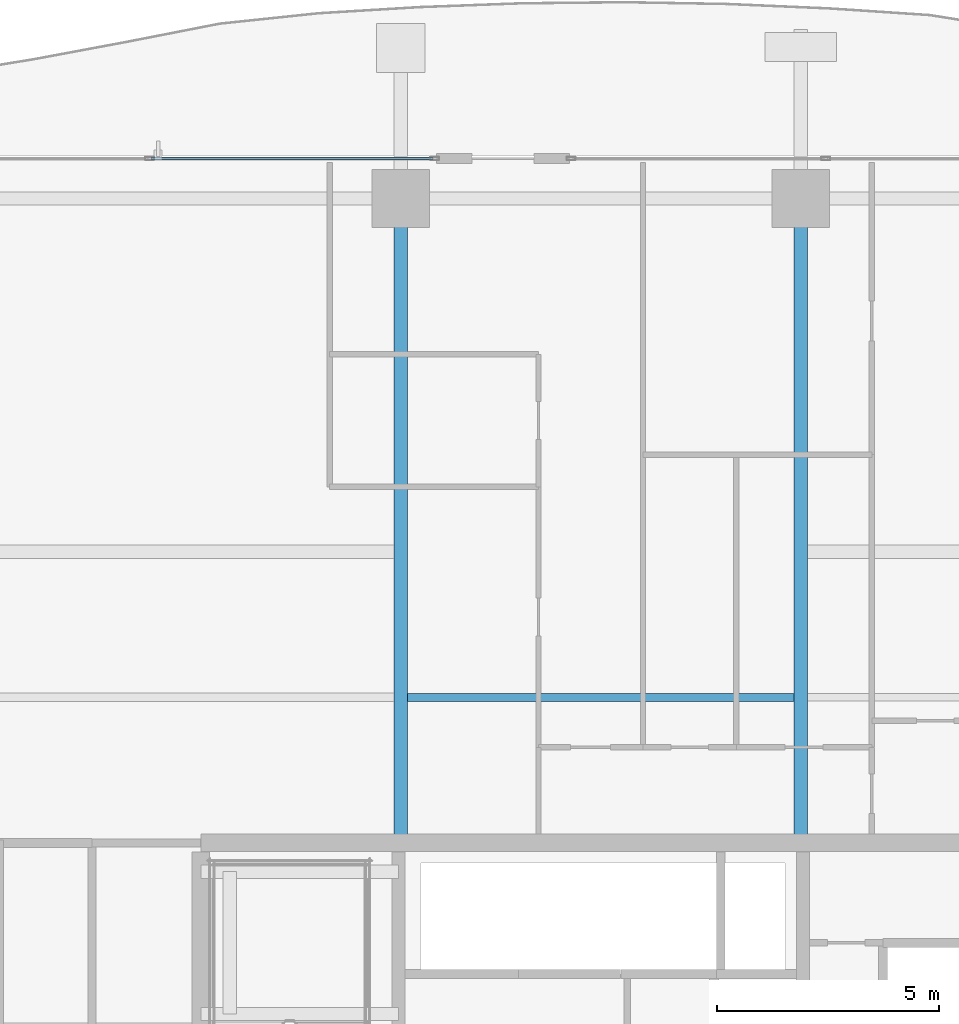
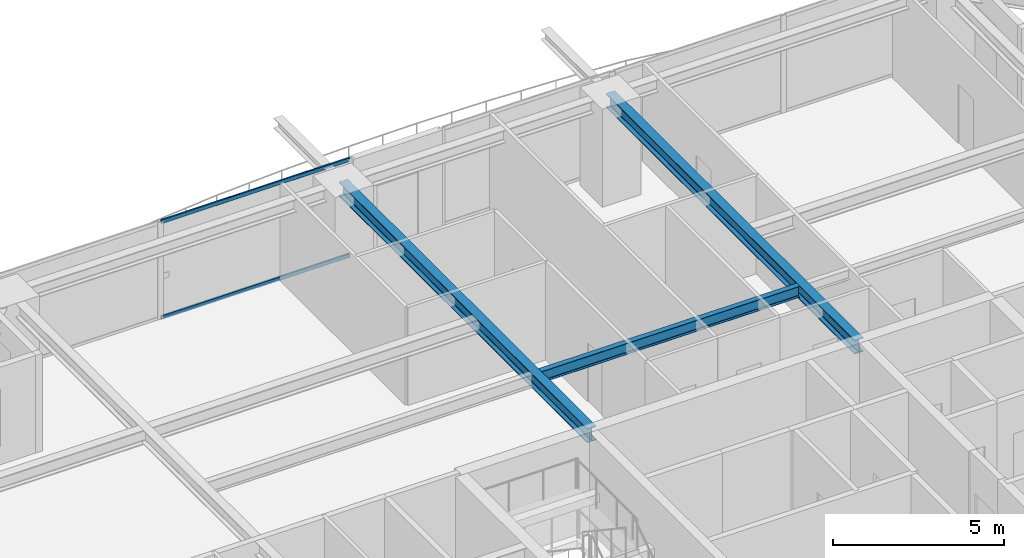
# One storey, part 18 of 34: 3 beams, 2 members, 1 element without a shape of its own.
"""IFC4 building model written with IfcOpenShell, lengths in metres."""

from ifc_helpers import new_model, si_unit, direction, frame, origin, origin_2d, place, context, subcontext, project, spatial, hollow_rectangle, i_section, extrude, source, transform, mapped, material, layer, layer_set, material_profile, profile_set, type_object, element, aggregate, save


model = new_model("IFC4")

# Units and contexts
model_context = context("Model", 3, precision=1e-05, world=origin(), true_north=direction((0.0, 1.0)))
body_context = subcontext(model_context, "Body", "Model", "MODEL_VIEW")
ifc_project = project(units=[si_unit("LENGTHUNIT", "METRE"), si_unit("AREAUNIT", "SQUARE_METRE"), si_unit("VOLUMEUNIT", "CUBIC_METRE"), si_unit("PLANEANGLEUNIT", "RADIAN"), si_unit("MASSUNIT", "GRAM", prefix="KILO")], contexts=[model_context])

# Site, building, storey
site_placement = place(None, origin())
site = spatial("IfcSite", under=ifc_project, at=site_placement, CompositionType="ELEMENT")
building_placement = place(site_placement, origin())
building = spatial("IfcBuilding", under=site, at=building_placement, Name="Serunith Strait Residences", CompositionType="ELEMENT")
storey_placement = place(building_placement, frame((0.0, 0.0, 180.14990234375)))
storey = spatial("IfcBuildingStorey", under=building, at=storey_placement, Name="L45", CompositionType="ELEMENT", Elevation=180.14990234375)

# Beams
ifc_material_1 = material(Name="Steel S355J2", Category="steel")
ifc_material_profile_1 = material_profile(ifc_material_1, i_section(OverallWidth=0.179931640625, OverallDepth=0.39990234375, WebThickness=0.008544921875, FlangeThickness=0.013427734375, FilletRadius=0.02099609375, at=origin_2d()), Name="IPE 400")
ifc_profile_set_1 = profile_set([ifc_material_profile_1], Name="Steel S355J2")
beam_type_1 = type_object("IfcBeamType", Name="BM-IPE400", PredefinedType="JOIST", material=ifc_profile_set_1)
shared_shape_1 = source(origin(), body_context, "Body", "SweptSolid", [
    extrude(i_section(OverallWidth=0.179931640625, OverallDepth=0.39990234375, WebThickness=0.008544921875, FlangeThickness=0.013427734375, FilletRadius=0.02099609375, at=origin_2d()), origin(), (0.0, 0.0, 1.0), 8.699951171875),
])
beam_placement = place(storey_placement, frame((28.050048828125, 36.875, 3.287109375), z_axis=(1.0, 0.0, 0.0), x_axis=(0.0, 1.0, 0.0)))
element("IfcBeam", 1, at=beam_placement, inside=storey, type_object=beam_type_1, Name="L45 Composite Floor Joist 05", PredefinedType="JOIST", context=body_context, shape_type="MappedRepresentation", body=[
    mapped(shared_shape_1, transform((0.0, 0.0, 0.0), scale=1.0)),
])
ifc_material_profile_2 = material_profile(ifc_material_1, i_section(OverallWidth=0.300048828125, OverallDepth=0.5, WebThickness=0.014404296875, FlangeThickness=0.028076171875, FilletRadius=0.027099609375, at=origin_2d()), Name="HEB 500")
ifc_profile_set_2 = profile_set([ifc_material_profile_2], Name="Steel S355J2")
beam_type_2 = type_object("IfcBeamType", Name="BM-HEB500", PredefinedType="BEAM", material=ifc_profile_set_2)
shared_shape_2 = source(origin(), body_context, "Body", "SweptSolid", [
    extrude(i_section(OverallWidth=0.300048828125, OverallDepth=0.5, WebThickness=0.014404296875, FlangeThickness=0.028076171875, FilletRadius=0.027099609375, at=origin_2d()), origin(), (0.0, 0.0, 1.0), 14.5),
])
for number, where, z_axis, x_axis, name in (
    (2, (27.89990234375, 33.60009765625, 3.237060546875), (0.0, 1.0, 0.0), (-1.0, 0.0, 0.0), "L45 Primary Floor Girder TC-N2"),
    (3, (36.89990234375, 33.60009765625, 3.237060546875), (0.0, 1.0, 0.0), (-1.0, 0.0, 0.0), "L45 Primary Floor Girder TC-N3"),
):
    element("IfcBeam", number, at=place(storey_placement, frame(where, z_axis=z_axis, x_axis=x_axis)), inside=storey, type_object=beam_type_2, Name=name, PredefinedType="BEAM", context=body_context, shape_type="MappedRepresentation", body=[
        mapped(shared_shape_2, transform((0.0, 0.0, 0.0), scale=1.0)),
    ])

# Curtain wall, members
ifc_material_2 = material(Name="Pale-Champagne Anodised Aluminium", Category="aluminium")
ifc_layer = layer(ifc_material_2, 0.199951171875, Name="Pale-Champagne Anodised Aluminium")
ifc_layer_set = layer_set([ifc_layer], Name="Pale-Champagne Anodised Aluminium")
curtain_wall_type = type_object("IfcCurtainWallType", Name="CW-SYS2", PredefinedType="NOTDEFINED", material=ifc_layer_set)
curtain_wall_placement = place(storey_placement, origin())
curtain_wall = element("IfcCurtainWall", 4, at=curtain_wall_placement, inside=storey, type_object=curtain_wall_type, Name="L45 N Unitised Fritted Curtain Wall", PredefinedType="NOTDEFINED")
ifc_material_profile_3 = material_profile(ifc_material_2, hollow_rectangle(XDim=0.06005859375, YDim=0.139892578125, WallThickness=0.00341796875, InnerFilletRadius=0.00537109375, OuterFilletRadius=0.0087890625, at=origin_2d()), Name="ALU 140x60x3.5")
ifc_profile_set_3 = profile_set([ifc_material_profile_3], Name="Pale-Champagne Anodised Aluminium")
member_type = type_object("IfcMemberType", Name="CW-SYS2-TRAN", PredefinedType="USERDEFINED", material=ifc_profile_set_3)
shared_shape_3 = source(origin(), body_context, "Body", "SweptSolid", [
    extrude(hollow_rectangle(XDim=0.06005859375, YDim=0.139892578125, WallThickness=0.00341796875, InnerFilletRadius=0.00537109375, OuterFilletRadius=0.0087890625, at=origin_2d()), origin(), (0.0, 0.0, 1.0), 6.344970703125),
])
member_1_placement = place(storey_placement, frame((28.6298828125, 49.0, 0.030029296875), z_axis=(-1.0, 0.0, 0.0), x_axis=(0.0, -1.0, 0.0)))
member_1 = element("IfcMember", 5, at=member_1_placement, type_object=member_type, Name="CW-2 transom 1.1", ObjectType="TRANSOM", PredefinedType="USERDEFINED", context=body_context, shape_type="MappedRepresentation", body=[
    mapped(shared_shape_3, transform((0.0, 0.0, 0.0), scale=1.0)),
])
member_2_placement = place(storey_placement, frame((28.6298828125, 49.0, 3.445068359375), z_axis=(-1.0, 0.0, 0.0), x_axis=(0.0, -1.0, 0.0)))
member_2 = element("IfcMember", 6, at=member_2_placement, type_object=member_type, Name="CW-2 transom 1.2", ObjectType="TRANSOM", PredefinedType="USERDEFINED", context=body_context, shape_type="MappedRepresentation", body=[
    mapped(shared_shape_3, transform((0.0, 0.0, 0.0), scale=1.0)),
])
aggregate(curtain_wall, [member_1, member_2])

save(model, "model.ifc")
